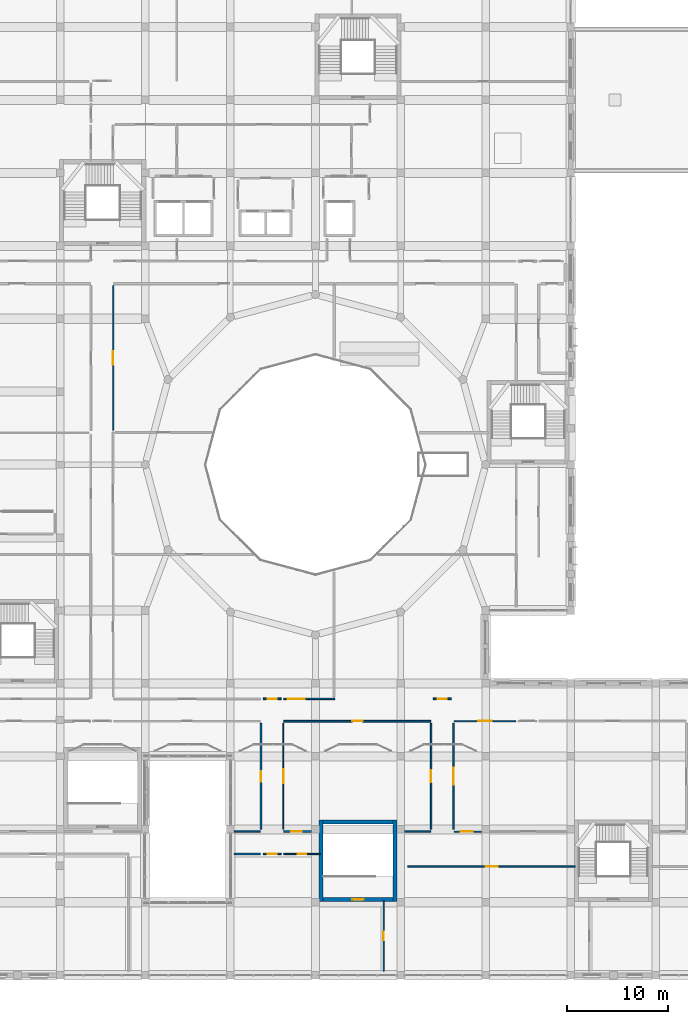
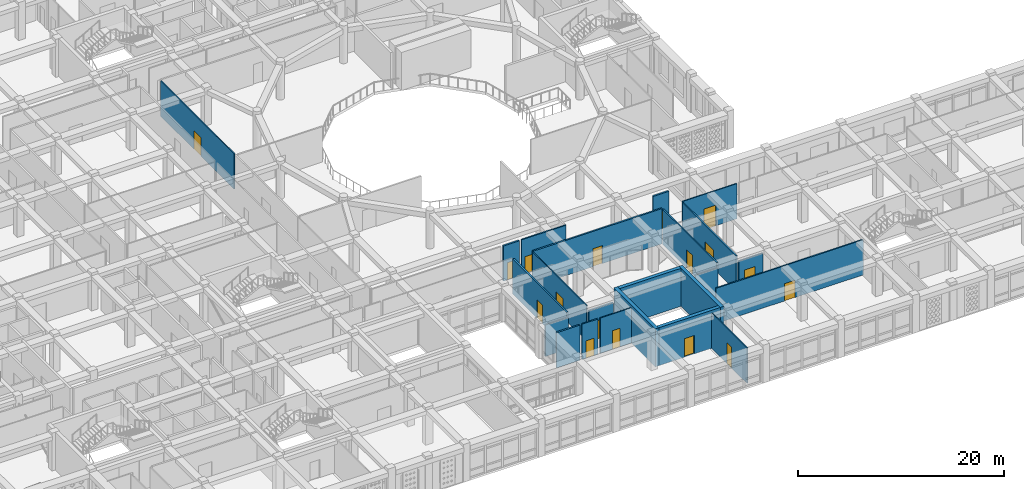
# One storey, part 77 of 121: 23 walls, 17 doors, 17 openings.
"""IFC4 building model written with IfcOpenShell, lengths in metres."""

from ifc_helpers import new_model, si_unit, derived_unit, direction, frame, frame_2d, origin, place, context, subcontext, project, spatial, rectangle, extrude, material, layer, layer_set, type_object, element, fill, save


model = new_model("IFC4")

# Units and contexts
model_context = context("Model", 3, precision=1e-05, world=origin(), true_north=direction((0.0, 1.0)))
body_context = subcontext(model_context, "Body", "Model", "MODEL_VIEW")
ifc_project = project(units=[si_unit("LENGTHUNIT", "METRE"), si_unit("AREAUNIT", "SQUARE_METRE"), si_unit("VOLUMEUNIT", "CUBIC_METRE"), si_unit("PLANEANGLEUNIT", "RADIAN"), si_unit("MASSUNIT", "GRAM", prefix="KILO"), derived_unit("THERMALTRANSMITTANCEUNIT", [(si_unit("POWERUNIT", "WATT"), 1), (si_unit("LENGTHUNIT", "METRE"), -2), (si_unit("THERMODYNAMICTEMPERATUREUNIT", "KELVIN"), -1)])], contexts=[model_context])

# Site, building, storey
site_placement = place(None, origin())
site = spatial("IfcSite", under=ifc_project, at=site_placement, CompositionType="ELEMENT")
building_placement = place(site_placement, origin())
building = spatial("IfcBuilding", under=site, at=building_placement, Name="Veybourne Emporium", CompositionType="ELEMENT")
storey_placement = place(building_placement, frame((0.0, 0.0, 5.39990234375)))
storey = spatial("IfcBuildingStorey", under=building, at=storey_placement, Name="L01", CompositionType="ELEMENT", Elevation=5.39990234375)

# Wall, opening, door
ifc_material_1 = material(Name="Concrete C40/50", Category="concrete")
ifc_layer_1 = layer(ifc_material_1, 0.39990234375)
ifc_layer_set_1 = layer_set([ifc_layer_1], Name="Concrete C40/50")
wall_type_1 = type_object("IfcWallType", Name="IntWall_CW-01", PredefinedType="SHEAR", material=ifc_layer_set_1)
wall_1_placement = place(storey_placement, frame((83.25, 7.449951171875, 0.0), z_axis=(0.0, 0.0, 1.0), x_axis=(-1.0, 0.0, 0.0)))
wall_1 = element("IfcWall", 1, at=wall_1_placement, inside=storey, type_object=wall_type_1, Name="Core stair ST-10 south shear wall (L01)", PredefinedType="SHEAR", context=body_context, shape_type="SweptSolid", body=[
    extrude(rectangle(XDim=6.89990234375, YDim=0.39990234375, at=frame_2d((3.449951171875, 0.0))), origin(), (0.0, 0.0, 1.0), 4.5),
])
opening_1_placement = place(wall_1_placement, frame((2.89990234375, 0.0, 0.0)))
opening_1 = element("IfcOpeningElement", 2, at=opening_1_placement, cuts=wall_1, Name="Opening FD-01", PredefinedType="OPENING", context=body_context, shape_type="SweptSolid", body=[
    extrude(rectangle(XDim=1.10009765625, YDim=2.199951171875, at=frame_2d((0.550048828125, 1.10009765625))), frame((0.0, 0.219970703125, 0.0), z_axis=(0.0, -1.0, 0.0), x_axis=(1.0, 0.0, 0.0)), (0.0, 0.0, 1.0), 0.43994140625),
])
ifc_material_2 = material(Name="Patinated Architectural Bronze", Category="bronze")
door_type_1 = type_object("IfcDoorType", Name="FireDoor_FD-01", OperationType="NOTDEFINED", PredefinedType="DOOR", material=ifc_material_2)
door_1_placement = place(opening_1_placement, origin())
door_1 = element("IfcDoor", 3, at=door_1_placement, inside=storey, type_object=door_type_1, Name="Stair ST-10 fire door (L01)", OperationType="SINGLE_SWING_LEFT", OverallHeight=2.199951171875, OverallWidth=1.10009765625, PredefinedType="DOOR", context=body_context, shape_type="SweptSolid", body=[
    extrude(rectangle(XDim=1.10009765625, YDim=2.199951171875, at=frame_2d((0.550048828125, 1.10009765625))), frame((0.0, 0.02490234375, 0.0), z_axis=(0.0, -1.0, 0.0), x_axis=(1.0, 0.0, 0.0)), (0.0, 0.0, 1.0), 0.050048828125),
])
fill(opening_1, door_1)

# Walls
wall_2_placement = place(storey_placement, frame((76.35009765625, 15.10009765625, 0.0), z_axis=(0.0, 0.0, 1.0), x_axis=(1.0, 0.0, 0.0)))
element("IfcWall", 4, at=wall_2_placement, inside=storey, type_object=wall_type_1, Name="Core stair ST-10 north shear wall (L01)", PredefinedType="SHEAR", context=body_context, shape_type="SweptSolid", body=[
    extrude(rectangle(XDim=6.89990234375, YDim=0.39990234375, at=frame_2d((3.449951171875, 0.0))), origin(), (0.0, 0.0, 1.0), 4.5),
])
for number, where, z_axis, x_axis, name in (
    (5, (76.14990234375, 15.300048828125, 0.0), (0.0, 0.0, 1.0), (0.0, -1.0, 0.0), "Core stair ST-10 west shear wall (L01)"),
    (6, (83.449951171875, 7.25, 0.0), (0.0, 0.0, 1.0), (0.0, 1.0, 0.0), "Core stair ST-10 east shear wall (L01)"),
):
    element("IfcWall", number, at=place(storey_placement, frame(where, z_axis=z_axis, x_axis=x_axis)), inside=storey, type_object=wall_type_1, Name=name, PredefinedType="SHEAR", context=body_context, shape_type="SweptSolid", body=[
        extrude(rectangle(XDim=8.050048828125, YDim=0.39990234375, at=frame_2d((4.02490234375, 0.0))), origin(), (0.0, 0.0, 1.0), 4.5),
    ])

# Wall, opening, door
ifc_material_3 = material(Name="Gypsum Acoustic Board", Category="gypsum")
ifc_layer_2 = layer(ifc_material_3, 0.179931640625)
ifc_layer_set_2 = layer_set([ifc_layer_2], Name="Gypsum Acoustic Board")
wall_type_2 = type_object("IfcWallType", Name="IntWall_IW-01", PredefinedType="PARTITIONING", material=ifc_layer_set_2)
wall_3_placement = place(storey_placement, frame((72.47998046875, 25.070068359375, 0.0), z_axis=(0.0, 0.0, 1.0), x_axis=(1.0, 0.0, 0.0)))
wall_3 = element("IfcWall", 7, at=wall_3_placement, inside=storey, type_object=wall_type_2, Name="L01 interior partition IW-01 #019", PredefinedType="PARTITIONING", context=body_context, shape_type="SweptSolid", body=[
    extrude(rectangle(XDim=14.489990234375, YDim=0.179931640625, at=frame_2d((7.2451171875, 0.0))), origin(), (0.0, 0.0, 1.0), 4.18017578125),
])
opening_2_placement = place(wall_3_placement, frame((6.72509765625, 0.0, 0.0)))
opening_2 = element("IfcOpeningElement", 8, at=opening_2_placement, cuts=wall_3, Name="Opening D-08", PredefinedType="OPENING", context=body_context, shape_type="SweptSolid", body=[
    extrude(rectangle(XDim=1.0400390625, YDim=2.1298828125, at=frame_2d((0.52001953125, 1.06494140625))), frame((0.0, 0.10986328125, 0.0), z_axis=(0.0, -1.0, 0.0), x_axis=(1.0, 0.0, 0.0)), (0.0, 0.0, 1.0), 0.219970703125),
])
ifc_material_4 = material(Name="European Oak Veneer and Bronze", Category="wood")
door_type_2 = type_object("IfcDoorType", Name="IntDoor_D-08", OperationType="NOTDEFINED", PredefinedType="DOOR", material=ifc_material_4)
door_2_placement = place(opening_2_placement, origin())
door_2 = element("IfcDoor", 9, at=door_2_placement, inside=storey, type_object=door_type_2, Name="L01 interior door D-08 (PART-L01-019)", OperationType="SINGLE_SWING_RIGHT", OverallHeight=2.1298828125, OverallWidth=1.0400390625, PredefinedType="DOOR", context=body_context, shape_type="SweptSolid", body=[
    extrude(rectangle(XDim=1.0400390625, YDim=2.1298828125, at=frame_2d((0.52001953125, 1.06494140625))), frame((0.0, 0.02490234375, 0.0), z_axis=(0.0, -1.0, 0.0), x_axis=(1.0, 0.0, 0.0)), (0.0, 0.0, 1.0), 0.050048828125),
])
fill(opening_2, door_2)

wall_4_placement = place(storey_placement, frame((70.219970703125, 14.389892578125, 0.0), z_axis=(0.0, 0.0, 1.0), x_axis=(0.0, 1.0, 0.0)))
wall_4 = element("IfcWall", 10, at=wall_4_placement, inside=storey, type_object=wall_type_2, Name="L01 interior partition IW-01 #061", PredefinedType="PARTITIONING", context=body_context, shape_type="SweptSolid", body=[
    extrude(rectangle(XDim=10.47021484375, YDim=0.179931640625, at=frame_2d((5.235107421875, 0.0))), origin(), (0.0, 0.0, 1.0), 4.18017578125),
])
opening_3_placement = place(wall_4_placement, frame((4.715087890625, 0.0, 0.0)))
opening_3 = element("IfcOpeningElement", 11, at=opening_3_placement, cuts=wall_4, Name="Opening D-14", PredefinedType="OPENING", context=body_context, shape_type="SweptSolid", body=[
    extrude(rectangle(XDim=1.0400390625, YDim=2.2099609375, at=frame_2d((0.52001953125, 1.10498046875))), frame((0.0, 0.10986328125, 0.0), z_axis=(0.0, -1.0, 0.0), x_axis=(1.0, 0.0, 0.0)), (0.0, 0.0, 1.0), 0.219970703125),
])
door_type_3 = type_object("IfcDoorType", Name="IntDoor_D-14", OperationType="NOTDEFINED", PredefinedType="DOOR", material=ifc_material_4)
door_3_placement = place(opening_3_placement, origin())
door_3 = element("IfcDoor", 12, at=door_3_placement, inside=storey, type_object=door_type_3, Name="L01 interior door D-14 (PART-L01-061)", OperationType="SINGLE_SWING_LEFT", OverallHeight=2.2099609375, OverallWidth=1.0400390625, PredefinedType="DOOR", context=body_context, shape_type="SweptSolid", body=[
    extrude(rectangle(XDim=1.0400390625, YDim=2.2099609375, at=frame_2d((0.52001953125, 1.10498046875))), frame((0.0, 0.02490234375, 0.0), z_axis=(0.0, -1.0, 0.0), x_axis=(1.0, 0.0, 0.0)), (0.0, 0.0, 1.0), 0.050048828125),
])
fill(opening_3, door_3)

wall_5_placement = place(storey_placement, frame((72.47998046875, 14.179931640625, 0.0), z_axis=(0.0, 0.0, 1.0), x_axis=(1.0, 0.0, 0.0)))
wall_5 = element("IfcWall", 13, at=wall_5_placement, inside=storey, type_object=wall_type_2, Name="L01 interior partition IW-01 #097", PredefinedType="PARTITIONING", context=body_context, shape_type="SweptSolid", body=[
    extrude(rectangle(XDim=2.72509765625, YDim=0.179931640625, at=frame_2d((1.362548828125, 0.0))), origin(), (0.0, 0.0, 1.0), 3.72998046875),
])
opening_4_placement = place(wall_5_placement, frame((0.707763671875, 0.0, 0.0)))
opening_4 = element("IfcOpeningElement", 14, at=opening_4_placement, cuts=wall_5, Name="Opening D-14", PredefinedType="OPENING", context=body_context, shape_type="SweptSolid", body=[
    extrude(rectangle(XDim=1.0400390625, YDim=2.2099609375, at=frame_2d((0.52001953125, 1.10498046875))), frame((0.0, 0.10986328125, 0.0), z_axis=(0.0, -1.0, 0.0), x_axis=(1.0, 0.0, 0.0)), (0.0, 0.0, 1.0), 0.219970703125),
])
door_4_placement = place(opening_4_placement, origin())
door_4 = element("IfcDoor", 15, at=door_4_placement, inside=storey, type_object=door_type_3, Name="L01 interior door D-14 (PART-L01-097)", OperationType="SINGLE_SWING_LEFT", OverallHeight=2.2099609375, OverallWidth=1.0400390625, PredefinedType="DOOR", context=body_context, shape_type="SweptSolid", body=[
    extrude(rectangle(XDim=1.0400390625, YDim=2.2099609375, at=frame_2d((0.52001953125, 1.10498046875))), frame((0.0, 0.02490234375, 0.0), z_axis=(0.0, -1.0, 0.0), x_axis=(1.0, 0.0, 0.0)), (0.0, 0.0, 1.0), 0.050048828125),
])
fill(opening_4, door_4)

# Wall
wall_6_placement = place(storey_placement, frame((67.570068359375, 11.969970703125, 0.0), z_axis=(0.0, 0.0, 1.0), x_axis=(1.0, 0.0, 0.0)))
element("IfcWall", 16, at=wall_6_placement, inside=storey, type_object=wall_type_2, Name="L01 interior partition IW-01 #112", PredefinedType="PARTITIONING", context=body_context, shape_type="SweptSolid", body=[
    extrude(rectangle(XDim=2.599853515625, YDim=0.179931640625, at=frame_2d((1.2998046875, 0.0))), origin(), (0.0, 0.0, 1.0), 4.18017578125),
])

# Wall, opening, door
wall_7_placement = place(storey_placement, frame((87.22998046875, 27.280029296875, 0.0), z_axis=(0.0, 0.0, 1.0), x_axis=(1.0, 0.0, 0.0)))
wall_7 = element("IfcWall", 17, at=wall_7_placement, inside=storey, type_object=wall_type_2, Name="L01 interior partition IW-01 #148", PredefinedType="PARTITIONING", context=body_context, shape_type="SweptSolid", body=[
    extrude(rectangle(XDim=1.7900390625, YDim=0.179931640625, at=frame_2d((0.89501953125, 0.0))), origin(), (0.0, 0.0, 1.0), 4.18017578125),
])
opening_5_placement = place(wall_7_placement, frame((0.455078125, 0.0, 0.0)))
opening_5 = element("IfcOpeningElement", 18, at=opening_5_placement, cuts=wall_7, Name="Opening D-01", PredefinedType="OPENING", context=body_context, shape_type="SweptSolid", body=[
    extrude(rectangle(XDim=0.8798828125, YDim=2.050048828125, at=frame_2d((0.43994140625, 1.02490234375))), frame((0.0, 0.10986328125, 0.0), z_axis=(0.0, -1.0, 0.0), x_axis=(1.0, 0.0, 0.0)), (0.0, 0.0, 1.0), 0.219970703125),
])
door_type_4 = type_object("IfcDoorType", Name="IntDoor_D-01", OperationType="NOTDEFINED", PredefinedType="DOOR", material=ifc_material_4)
door_5_placement = place(opening_5_placement, origin())
door_5 = element("IfcDoor", 19, at=door_5_placement, inside=storey, type_object=door_type_4, Name="L01 interior door D-01 (PART-L01-148)", OperationType="SINGLE_SWING_LEFT", OverallHeight=2.050048828125, OverallWidth=0.8798828125, PredefinedType="DOOR", context=body_context, shape_type="SweptSolid", body=[
    extrude(rectangle(XDim=0.8798828125, YDim=2.050048828125, at=frame_2d((0.43994140625, 1.02490234375))), frame((0.0, 0.02490234375, 0.0), z_axis=(0.0, -1.0, 0.0), x_axis=(1.0, 0.0, 0.0)), (0.0, 0.0, 1.0), 0.050048828125),
])
fill(opening_5, door_5)

wall_8_placement = place(storey_placement, frame((70.429931640625, 27.280029296875, 0.0), z_axis=(0.0, 0.0, 1.0), x_axis=(1.0, 0.0, 0.0)))
wall_8 = element("IfcWall", 20, at=wall_8_placement, inside=storey, type_object=wall_type_2, Name="L01 interior partition IW-01 #160", PredefinedType="PARTITIONING", context=body_context, shape_type="SweptSolid", body=[
    extrude(rectangle(XDim=1.7900390625, YDim=0.179931640625, at=frame_2d((0.89501953125, 0.0))), origin(), (0.0, 0.0, 1.0), 4.18017578125),
])
opening_6_placement = place(wall_8_placement, frame((0.455078125, 0.0, 0.0)))
opening_6 = element("IfcOpeningElement", 21, at=opening_6_placement, cuts=wall_8, Name="Opening D-01", PredefinedType="OPENING", context=body_context, shape_type="SweptSolid", body=[
    extrude(rectangle(XDim=0.8798828125, YDim=2.050048828125, at=frame_2d((0.43994140625, 1.02490234375))), frame((0.0, 0.10986328125, 0.0), z_axis=(0.0, -1.0, 0.0), x_axis=(1.0, 0.0, 0.0)), (0.0, 0.0, 1.0), 0.219970703125),
])
door_6_placement = place(opening_6_placement, origin())
door_6 = element("IfcDoor", 22, at=door_6_placement, inside=storey, type_object=door_type_4, Name="L01 interior door D-01 (PART-L01-160)", OperationType="SINGLE_SWING_LEFT", OverallHeight=2.050048828125, OverallWidth=0.8798828125, PredefinedType="DOOR", context=body_context, shape_type="SweptSolid", body=[
    extrude(rectangle(XDim=0.8798828125, YDim=2.050048828125, at=frame_2d((0.43994140625, 1.02490234375))), frame((0.0, 0.02490234375, 0.0), z_axis=(0.0, -1.0, 0.0), x_axis=(1.0, 0.0, 0.0)), (0.0, 0.0, 1.0), 0.050048828125),
])
fill(opening_6, door_6)

ifc_layer_3 = layer(ifc_material_3, 0.14990234375)
ifc_layer_set_3 = layer_set([ifc_layer_3], Name="Gypsum Acoustic Board")
wall_type_3 = type_object("IfcWallType", Name="IntWall_IW-02", PredefinedType="PARTITIONING", material=ifc_layer_set_3)
wall_9_placement = place(storey_placement, frame((84.72998046875, 10.719970703125, 0.0), z_axis=(0.0, 0.0, 1.0), x_axis=(1.0, 0.0, 0.0)))
wall_9 = element("IfcWall", 23, at=wall_9_placement, inside=storey, type_object=wall_type_3, Name="L01 interior partition IW-02 #014", PredefinedType="PARTITIONING", context=body_context, shape_type="SweptSolid", body=[
    extrude(rectangle(XDim=16.530029296875, YDim=0.14990234375, at=frame_2d((8.26513671875, 0.0))), origin(), (0.0, 0.0, 1.0), 4.18017578125),
])
opening_7_placement = place(wall_9_placement, frame((7.6650390625, 0.0, 0.0)))
opening_7 = element("IfcOpeningElement", 24, at=opening_7_placement, cuts=wall_9, Name="Opening D-03", PredefinedType="OPENING", context=body_context, shape_type="SweptSolid", body=[
    extrude(rectangle(XDim=1.199951171875, YDim=2.050048828125, at=frame_2d((0.60009765625, 1.02490234375))), frame((0.0, 0.094970703125, 0.0), z_axis=(0.0, -1.0, 0.0), x_axis=(1.0, 0.0, 0.0)), (0.0, 0.0, 1.0), 0.18994140625),
])
door_type_5 = type_object("IfcDoorType", Name="IntDoor_D-03", OperationType="NOTDEFINED", PredefinedType="DOOR", material=ifc_material_4)
door_7_placement = place(opening_7_placement, origin())
door_7 = element("IfcDoor", 25, at=door_7_placement, inside=storey, type_object=door_type_5, Name="L01 interior door D-03 (PART-L01-014)", OperationType="SINGLE_SWING_RIGHT", OverallHeight=2.050048828125, OverallWidth=1.199951171875, PredefinedType="DOOR", context=body_context, shape_type="SweptSolid", body=[
    extrude(rectangle(XDim=1.199951171875, YDim=2.050048828125, at=frame_2d((0.60009765625, 1.02490234375))), frame((0.0, 0.02490234375, 0.0), z_axis=(0.0, -1.0, 0.0), x_axis=(1.0, 0.0, 0.0)), (0.0, 0.0, 1.0), 0.050048828125),
])
fill(opening_7, door_7)

wall_10_placement = place(storey_placement, frame((89.280029296875, 14.179931640625, 0.0), z_axis=(0.0, 0.0, 1.0), x_axis=(1.0, 0.0, 0.0)))
wall_10 = element("IfcWall", 26, at=wall_10_placement, inside=storey, type_object=wall_type_3, Name="L01 interior partition IW-02 #044", PredefinedType="PARTITIONING", context=body_context, shape_type="SweptSolid", body=[
    extrude(rectangle(XDim=2.724853515625, YDim=0.14990234375, at=frame_2d((1.3623046875, 0.0))), origin(), (0.0, 0.0, 1.0), 3.72998046875),
])
opening_8_placement = place(wall_10_placement, frame((0.640380859375, 0.0, 0.0)))
opening_8 = element("IfcOpeningElement", 27, at=opening_8_placement, cuts=wall_10, Name="Opening D-33", PredefinedType="OPENING", context=body_context, shape_type="SweptSolid", body=[
    extrude(rectangle(XDim=1.199951171875, YDim=2.449951171875, at=frame_2d((0.60009765625, 1.22509765625))), frame((0.0, 0.094970703125, 0.0), z_axis=(0.0, -1.0, 0.0), x_axis=(1.0, 0.0, 0.0)), (0.0, 0.0, 1.0), 0.18994140625),
])
door_type_6 = type_object("IfcDoorType", Name="IntDoor_D-33", OperationType="NOTDEFINED", PredefinedType="DOOR", material=ifc_material_4)
door_8_placement = place(opening_8_placement, origin())
door_8 = element("IfcDoor", 28, at=door_8_placement, inside=storey, type_object=door_type_6, Name="L01 interior door D-33 (PART-L01-044)", OperationType="SINGLE_SWING_LEFT", OverallHeight=2.449951171875, OverallWidth=1.199951171875, PredefinedType="DOOR", context=body_context, shape_type="SweptSolid", body=[
    extrude(rectangle(XDim=1.199951171875, YDim=2.449951171875, at=frame_2d((0.60009765625, 1.22509765625))), frame((0.0, 0.02490234375, 0.0), z_axis=(0.0, -1.0, 0.0), x_axis=(1.0, 0.0, 0.0)), (0.0, 0.0, 1.0), 0.050048828125),
])
fill(opening_8, door_8)

wall_11_placement = place(storey_placement, frame((87.02001953125, 14.389892578125, 0.0), z_axis=(0.0, 0.0, 1.0), x_axis=(0.0, 1.0, 0.0)))
wall_11 = element("IfcWall", 29, at=wall_11_placement, inside=storey, type_object=wall_type_3, Name="L01 interior partition IW-02 #062", PredefinedType="PARTITIONING", context=body_context, shape_type="SweptSolid", body=[
    extrude(rectangle(XDim=10.47021484375, YDim=0.14990234375, at=frame_2d((5.235107421875, 0.0))), origin(), (0.0, 0.0, 1.0), 4.18017578125),
])
opening_9_placement = place(wall_11_placement, frame((4.635009765625, 0.0, 0.0)))
opening_9 = element("IfcOpeningElement", 30, at=opening_9_placement, cuts=wall_11, Name="Opening D-15", PredefinedType="OPENING", context=body_context, shape_type="SweptSolid", body=[
    extrude(rectangle(XDim=1.199951171875, YDim=2.2099609375, at=frame_2d((0.60009765625, 1.10498046875))), frame((0.0, 0.094970703125, 0.0), z_axis=(0.0, -1.0, 0.0), x_axis=(1.0, 0.0, 0.0)), (0.0, 0.0, 1.0), 0.18994140625),
])
door_type_7 = type_object("IfcDoorType", Name="IntDoor_D-15", OperationType="NOTDEFINED", PredefinedType="DOOR", material=ifc_material_4)
door_9_placement = place(opening_9_placement, origin())
door_9 = element("IfcDoor", 31, at=door_9_placement, inside=storey, type_object=door_type_7, Name="L01 interior door D-15 (PART-L01-062)", OperationType="SINGLE_SWING_RIGHT", OverallHeight=2.2099609375, OverallWidth=1.199951171875, PredefinedType="DOOR", context=body_context, shape_type="SweptSolid", body=[
    extrude(rectangle(XDim=1.199951171875, YDim=2.2099609375, at=frame_2d((0.60009765625, 1.10498046875))), frame((0.0, 0.02490234375, 0.0), z_axis=(0.0, -1.0, 0.0), x_axis=(1.0, 0.0, 0.0)), (0.0, 0.0, 1.0), 0.050048828125),
])
fill(opening_9, door_9)

wall_12_placement = place(storey_placement, frame((89.22998046875, 14.389892578125, 0.0), z_axis=(0.0, 0.0, 1.0), x_axis=(0.0, 1.0, 0.0)))
wall_12 = element("IfcWall", 32, at=wall_12_placement, inside=storey, type_object=wall_type_3, Name="L01 interior partition IW-02 #065", PredefinedType="PARTITIONING", context=body_context, shape_type="SweptSolid", body=[
    extrude(rectangle(XDim=10.47021484375, YDim=0.14990234375, at=frame_2d((5.235107421875, 0.0))), origin(), (0.0, 0.0, 1.0), 4.18017578125),
])
opening_10_placement = place(wall_12_placement, frame((4.39501953125, 0.0, 0.0)))
opening_10 = element("IfcOpeningElement", 33, at=opening_10_placement, cuts=wall_12, Name="Opening D-18", PredefinedType="OPENING", context=body_context, shape_type="SweptSolid", body=[
    extrude(rectangle(XDim=1.679931640625, YDim=2.2099609375, at=frame_2d((0.83984375, 1.10498046875))), frame((0.0, 0.094970703125, 0.0), z_axis=(0.0, -1.0, 0.0), x_axis=(1.0, 0.0, 0.0)), (0.0, 0.0, 1.0), 0.18994140625),
])
door_type_8 = type_object("IfcDoorType", Name="IntDoor_D-18", OperationType="DOUBLE_DOOR_SINGLE_SWING", PredefinedType="DOOR", material=ifc_material_4)
door_10_placement = place(opening_10_placement, origin())
door_10 = element("IfcDoor", 34, at=door_10_placement, inside=storey, type_object=door_type_8, Name="L01 interior door D-18 (PART-L01-065)", OperationType="DOUBLE_DOOR_SINGLE_SWING", OverallHeight=2.2099609375, OverallWidth=1.679931640625, PredefinedType="DOOR", context=body_context, shape_type="SweptSolid", body=[
    extrude(rectangle(XDim=1.679931640625, YDim=2.2099609375, at=frame_2d((0.83984375, 1.10498046875))), frame((0.0, 0.02490234375, 0.0), z_axis=(0.0, -1.0, 0.0), x_axis=(1.0, 0.0, 0.0)), (0.0, 0.0, 1.0), 0.050048828125),
])
fill(opening_10, door_10)

wall_13_placement = place(storey_placement, frame((72.47998046875, 27.280029296875, 0.0), z_axis=(0.0, 0.0, 1.0), x_axis=(1.0, 0.0, 0.0)))
wall_13 = element("IfcWall", 35, at=wall_13_placement, inside=storey, type_object=wall_type_3, Name="L01 interior partition IW-02 #089", PredefinedType="PARTITIONING", context=body_context, shape_type="SweptSolid", body=[
    extrude(rectangle(XDim=5.0, YDim=0.14990234375, at=frame_2d((2.5, 0.0))), origin(), (0.0, 0.0, 1.0), 4.18017578125),
])
opening_11_placement = place(wall_13_placement, frame((0.3984375, 0.0, 0.0)))
opening_11 = element("IfcOpeningElement", 36, at=opening_11_placement, cuts=wall_13, Name="Opening D-06", PredefinedType="OPENING", context=body_context, shape_type="SweptSolid", body=[
    extrude(rectangle(XDim=1.679931640625, YDim=2.050048828125, at=frame_2d((0.83984375, 1.02490234375))), frame((0.0, 0.094970703125, 0.0), z_axis=(0.0, -1.0, 0.0), x_axis=(1.0, 0.0, 0.0)), (0.0, 0.0, 1.0), 0.18994140625),
])
door_type_9 = type_object("IfcDoorType", Name="IntDoor_D-06", OperationType="DOUBLE_DOOR_SINGLE_SWING", PredefinedType="DOOR", material=ifc_material_4)
door_11_placement = place(opening_11_placement, origin())
door_11 = element("IfcDoor", 37, at=door_11_placement, inside=storey, type_object=door_type_9, Name="L01 interior door D-06 (PART-L01-089)", OperationType="DOUBLE_DOOR_SINGLE_SWING", OverallHeight=2.050048828125, OverallWidth=1.679931640625, PredefinedType="DOOR", context=body_context, shape_type="SweptSolid", body=[
    extrude(rectangle(XDim=1.679931640625, YDim=2.050048828125, at=frame_2d((0.83984375, 1.02490234375))), frame((0.0, 0.02490234375, 0.0), z_axis=(0.0, -1.0, 0.0), x_axis=(1.0, 0.0, 0.0)), (0.0, 0.0, 1.0), 0.050048828125),
])
fill(opening_11, door_11)

# Walls
for number, where, z_axis, x_axis, name in (
    (38, (84.39501953125, 14.179931640625, 0.0), (0.0, 0.0, 1.0), (1.0, 0.0, 0.0), "L01 interior partition IW-02 #101"),
    (39, (67.594970703125, 14.179931640625, 0.0), (0.0, 0.0, 1.0), (1.0, 0.0, 0.0), "L01 interior partition IW-02 #113"),
):
    element("IfcWall", number, at=place(storey_placement, frame(where, z_axis=z_axis, x_axis=x_axis)), inside=storey, type_object=wall_type_3, Name=name, PredefinedType="PARTITIONING", context=body_context, shape_type="SweptSolid", body=[
        extrude(rectangle(XDim=2.574951171875, YDim=0.14990234375, at=frame_2d((1.28759765625, 0.0))), origin(), (0.0, 0.0, 1.0), 3.72998046875),
    ])

# Wall, opening, door
wall_14_placement = place(storey_placement, frame((70.429931640625, 11.969970703125, 0.0), z_axis=(0.0, 0.0, 1.0), x_axis=(1.0, 0.0, 0.0)))
wall_14 = element("IfcWall", 40, at=wall_14_placement, inside=storey, type_object=wall_type_3, Name="L01 interior partition IW-02 #155", PredefinedType="PARTITIONING", context=body_context, shape_type="SweptSolid", body=[
    extrude(rectangle(XDim=1.7900390625, YDim=0.14990234375, at=frame_2d((0.89501953125, 0.0))), origin(), (0.0, 0.0, 1.0), 4.18017578125),
])
opening_12_placement = place(wall_14_placement, frame((0.455078125, 0.0, 0.0)))
opening_12 = element("IfcOpeningElement", 41, at=opening_12_placement, cuts=wall_14, Name="Opening D-01", PredefinedType="OPENING", context=body_context, shape_type="SweptSolid", body=[
    extrude(rectangle(XDim=0.8798828125, YDim=2.050048828125, at=frame_2d((0.43994140625, 1.02490234375))), frame((0.0, 0.094970703125, 0.0), z_axis=(0.0, -1.0, 0.0), x_axis=(1.0, 0.0, 0.0)), (0.0, 0.0, 1.0), 0.18994140625),
])
door_12_placement = place(opening_12_placement, origin())
door_12 = element("IfcDoor", 42, at=door_12_placement, inside=storey, type_object=door_type_4, Name="L01 interior door D-01 (PART-L01-155)", OperationType="SINGLE_SWING_RIGHT", OverallHeight=2.050048828125, OverallWidth=0.8798828125, PredefinedType="DOOR", context=body_context, shape_type="SweptSolid", body=[
    extrude(rectangle(XDim=0.8798828125, YDim=2.050048828125, at=frame_2d((0.43994140625, 1.02490234375))), frame((0.0, 0.02490234375, 0.0), z_axis=(0.0, -1.0, 0.0), x_axis=(1.0, 0.0, 0.0)), (0.0, 0.0, 1.0), 0.050048828125),
])
fill(opening_12, door_12)

ifc_layer_4 = layer(ifc_material_3, 0.1201171875)
ifc_layer_set_4 = layer_set([ifc_layer_4], Name="Gypsum Acoustic Board")
wall_type_4 = type_object("IfcWallType", Name="IntWall_IW-03", PredefinedType="PARTITIONING", material=ifc_layer_set_4)
wall_15_placement = place(storey_placement, frame((55.6298828125, 53.77001953125, 0.0), z_axis=(0.0, 0.0, 1.0), x_axis=(0.0, 1.0, 0.0)))
wall_15 = element("IfcWall", 43, at=wall_15_placement, inside=storey, type_object=wall_type_4, Name="L01 interior partition IW-03 #027", PredefinedType="PARTITIONING", context=body_context, shape_type="SweptSolid", body=[
    extrude(rectangle(XDim=14.2900390625, YDim=0.1201171875, at=frame_2d((7.14501953125, 0.0))), origin(), (0.0, 0.0, 1.0), 4.18017578125),
])
opening_13_placement = place(wall_15_placement, frame((6.465087890625, 0.0, 0.0)))
opening_13 = element("IfcOpeningElement", 44, at=opening_13_placement, cuts=wall_15, Name="Opening D-16", PredefinedType="OPENING", context=body_context, shape_type="SweptSolid", body=[
    extrude(rectangle(XDim=1.360107421875, YDim=2.2099609375, at=frame_2d((0.68017578125, 1.10498046875))), frame((0.0, 0.080078125, 0.0), z_axis=(0.0, -1.0, 0.0), x_axis=(1.0, 0.0, 0.0)), (0.0, 0.0, 1.0), 0.16015625),
])
door_type_10 = type_object("IfcDoorType", Name="IntDoor_D-16", OperationType="NOTDEFINED", PredefinedType="DOOR", material=ifc_material_4)
door_13_placement = place(opening_13_placement, origin())
door_13 = element("IfcDoor", 45, at=door_13_placement, inside=storey, type_object=door_type_10, Name="L01 interior door D-16 (PART-L01-027)", OperationType="SINGLE_SWING_LEFT", OverallHeight=2.2099609375, OverallWidth=1.360107421875, PredefinedType="DOOR", context=body_context, shape_type="SweptSolid", body=[
    extrude(rectangle(XDim=1.360107421875, YDim=2.2099609375, at=frame_2d((0.68017578125, 1.10498046875))), frame((0.0, 0.02490234375, 0.0), z_axis=(0.0, -1.0, 0.0), x_axis=(1.0, 0.0, 0.0)), (0.0, 0.0, 1.0), 0.050048828125),
])
fill(opening_13, door_13)

wall_16_placement = place(storey_placement, frame((72.429931640625, 14.389892578125, 0.0), z_axis=(0.0, 0.0, 1.0), x_axis=(0.0, 1.0, 0.0)))
wall_16 = element("IfcWall", 46, at=wall_16_placement, inside=storey, type_object=wall_type_4, Name="L01 interior partition IW-03 #063", PredefinedType="PARTITIONING", context=body_context, shape_type="SweptSolid", body=[
    extrude(rectangle(XDim=10.47021484375, YDim=0.1201171875, at=frame_2d((5.235107421875, 0.0))), origin(), (0.0, 0.0, 1.0), 4.18017578125),
])
opening_14_placement = place(wall_16_placement, frame((4.554931640625, 0.0, 0.0)))
opening_14 = element("IfcOpeningElement", 47, at=opening_14_placement, cuts=wall_16, Name="Opening D-16", PredefinedType="OPENING", context=body_context, shape_type="SweptSolid", body=[
    extrude(rectangle(XDim=1.360107421875, YDim=2.2099609375, at=frame_2d((0.68017578125, 1.10498046875))), frame((0.0, 0.080078125, 0.0), z_axis=(0.0, -1.0, 0.0), x_axis=(1.0, 0.0, 0.0)), (0.0, 0.0, 1.0), 0.16015625),
])
door_14_placement = place(opening_14_placement, origin())
door_14 = element("IfcDoor", 48, at=door_14_placement, inside=storey, type_object=door_type_10, Name="L01 interior door D-16 (PART-L01-063)", OperationType="SINGLE_SWING_LEFT", OverallHeight=2.2099609375, OverallWidth=1.360107421875, PredefinedType="DOOR", context=body_context, shape_type="SweptSolid", body=[
    extrude(rectangle(XDim=1.360107421875, YDim=2.2099609375, at=frame_2d((0.68017578125, 1.10498046875))), frame((0.0, 0.02490234375, 0.0), z_axis=(0.0, -1.0, 0.0), x_axis=(1.0, 0.0, 0.0)), (0.0, 0.0, 1.0), 0.050048828125),
])
fill(opening_14, door_14)

wall_17_placement = place(storey_placement, frame((82.330078125, 0.3701171875, 0.0), z_axis=(0.0, 0.0, 1.0), x_axis=(0.0, 1.0, 0.0)))
wall_17 = element("IfcWall", 49, at=wall_17_placement, inside=storey, type_object=wall_type_4, Name="L01 interior partition IW-03 #078", PredefinedType="PARTITIONING", context=body_context, shape_type="SweptSolid", body=[
    extrude(rectangle(XDim=6.989990234375, YDim=0.1201171875, at=frame_2d((3.4951171875, 0.0))), origin(), (0.0, 0.0, 1.0), 4.18017578125),
])
opening_15_placement = place(wall_17_placement, frame((3.054931640625, 0.0, 0.0)))
opening_15 = element("IfcOpeningElement", 50, at=opening_15_placement, cuts=wall_17, Name="Opening D-31", PredefinedType="OPENING", context=body_context, shape_type="SweptSolid", body=[
    extrude(rectangle(XDim=0.8798828125, YDim=2.449951171875, at=frame_2d((0.43994140625, 1.22509765625))), frame((0.0, 0.080078125, 0.0), z_axis=(0.0, -1.0, 0.0), x_axis=(1.0, 0.0, 0.0)), (0.0, 0.0, 1.0), 0.16015625),
])
door_type_11 = type_object("IfcDoorType", Name="IntDoor_D-31", OperationType="NOTDEFINED", PredefinedType="DOOR", material=ifc_material_4)
door_15_placement = place(opening_15_placement, origin())
door_15 = element("IfcDoor", 51, at=door_15_placement, inside=storey, type_object=door_type_11, Name="L01 interior door D-31 (PART-L01-078)", OperationType="SINGLE_SWING_LEFT", OverallHeight=2.449951171875, OverallWidth=0.8798828125, PredefinedType="DOOR", context=body_context, shape_type="SweptSolid", body=[
    extrude(rectangle(XDim=0.8798828125, YDim=2.449951171875, at=frame_2d((0.43994140625, 1.22509765625))), frame((0.0, 0.02490234375, 0.0), z_axis=(0.0, -1.0, 0.0), x_axis=(1.0, 0.0, 0.0)), (0.0, 0.0, 1.0), 0.050048828125),
])
fill(opening_15, door_15)

wall_18_placement = place(storey_placement, frame((89.280029296875, 25.070068359375, 0.0), z_axis=(0.0, 0.0, 1.0), x_axis=(1.0, 0.0, 0.0)))
wall_18 = element("IfcWall", 52, at=wall_18_placement, inside=storey, type_object=wall_type_4, Name="L01 interior partition IW-03 #081", PredefinedType="PARTITIONING", context=body_context, shape_type="SweptSolid", body=[
    extrude(rectangle(XDim=6.090087890625, YDim=0.1201171875, at=frame_2d((3.044921875, 0.0))), origin(), (0.0, 0.0, 1.0), 4.18017578125),
])
opening_16_placement = place(wall_18_placement, frame((2.364990234375, 0.0, 0.0)))
opening_16 = element("IfcOpeningElement", 53, at=opening_16_placement, cuts=wall_18, Name="Opening D-34", PredefinedType="OPENING", context=body_context, shape_type="SweptSolid", body=[
    extrude(rectangle(XDim=1.360107421875, YDim=2.449951171875, at=frame_2d((0.68017578125, 1.22509765625))), frame((0.0, 0.080078125, 0.0), z_axis=(0.0, -1.0, 0.0), x_axis=(1.0, 0.0, 0.0)), (0.0, 0.0, 1.0), 0.16015625),
])
door_type_12 = type_object("IfcDoorType", Name="IntDoor_D-34", OperationType="NOTDEFINED", PredefinedType="DOOR", material=ifc_material_4)
door_16_placement = place(opening_16_placement, origin())
door_16 = element("IfcDoor", 54, at=door_16_placement, inside=storey, type_object=door_type_12, Name="L01 interior door D-34 (PART-L01-081)", OperationType="SINGLE_SWING_RIGHT", OverallHeight=2.449951171875, OverallWidth=1.360107421875, PredefinedType="DOOR", context=body_context, shape_type="SweptSolid", body=[
    extrude(rectangle(XDim=1.360107421875, YDim=2.449951171875, at=frame_2d((0.68017578125, 1.22509765625))), frame((0.0, 0.02490234375, 0.0), z_axis=(0.0, -1.0, 0.0), x_axis=(1.0, 0.0, 0.0)), (0.0, 0.0, 1.0), 0.050048828125),
])
fill(opening_16, door_16)

wall_19_placement = place(storey_placement, frame((72.47998046875, 11.969970703125, 0.0), z_axis=(0.0, 0.0, 1.0), x_axis=(1.0, 0.0, 0.0)))
wall_19 = element("IfcWall", 55, at=wall_19_placement, inside=storey, type_object=wall_type_4, Name="L01 interior partition IW-03 #096", PredefinedType="PARTITIONING", context=body_context, shape_type="SweptSolid", body=[
    extrude(rectangle(XDim=3.580078125, YDim=0.1201171875, at=frame_2d((1.7900390625, 0.0))), origin(), (0.0, 0.0, 1.0), 4.18017578125),
])
opening_17_placement = place(wall_19_placement, frame((1.35009765625, 0.0, 0.0)))
opening_17 = element("IfcOpeningElement", 56, at=opening_17_placement, cuts=wall_19, Name="Opening D-13", PredefinedType="OPENING", context=body_context, shape_type="SweptSolid", body=[
    extrude(rectangle(XDim=0.8798828125, YDim=2.2099609375, at=frame_2d((0.43994140625, 1.10498046875))), frame((0.0, 0.080078125, 0.0), z_axis=(0.0, -1.0, 0.0), x_axis=(1.0, 0.0, 0.0)), (0.0, 0.0, 1.0), 0.16015625),
])
door_type_13 = type_object("IfcDoorType", Name="IntDoor_D-13", OperationType="NOTDEFINED", PredefinedType="DOOR", material=ifc_material_4)
door_17_placement = place(opening_17_placement, origin())
door_17 = element("IfcDoor", 57, at=door_17_placement, inside=storey, type_object=door_type_13, Name="L01 interior door D-13 (PART-L01-096)", OperationType="SINGLE_SWING_RIGHT", OverallHeight=2.2099609375, OverallWidth=0.8798828125, PredefinedType="DOOR", context=body_context, shape_type="SweptSolid", body=[
    extrude(rectangle(XDim=0.8798828125, YDim=2.2099609375, at=frame_2d((0.43994140625, 1.10498046875))), frame((0.0, 0.02490234375, 0.0), z_axis=(0.0, -1.0, 0.0), x_axis=(1.0, 0.0, 0.0)), (0.0, 0.0, 1.0), 0.050048828125),
])
fill(opening_17, door_17)

save(model, "model.ifc")
